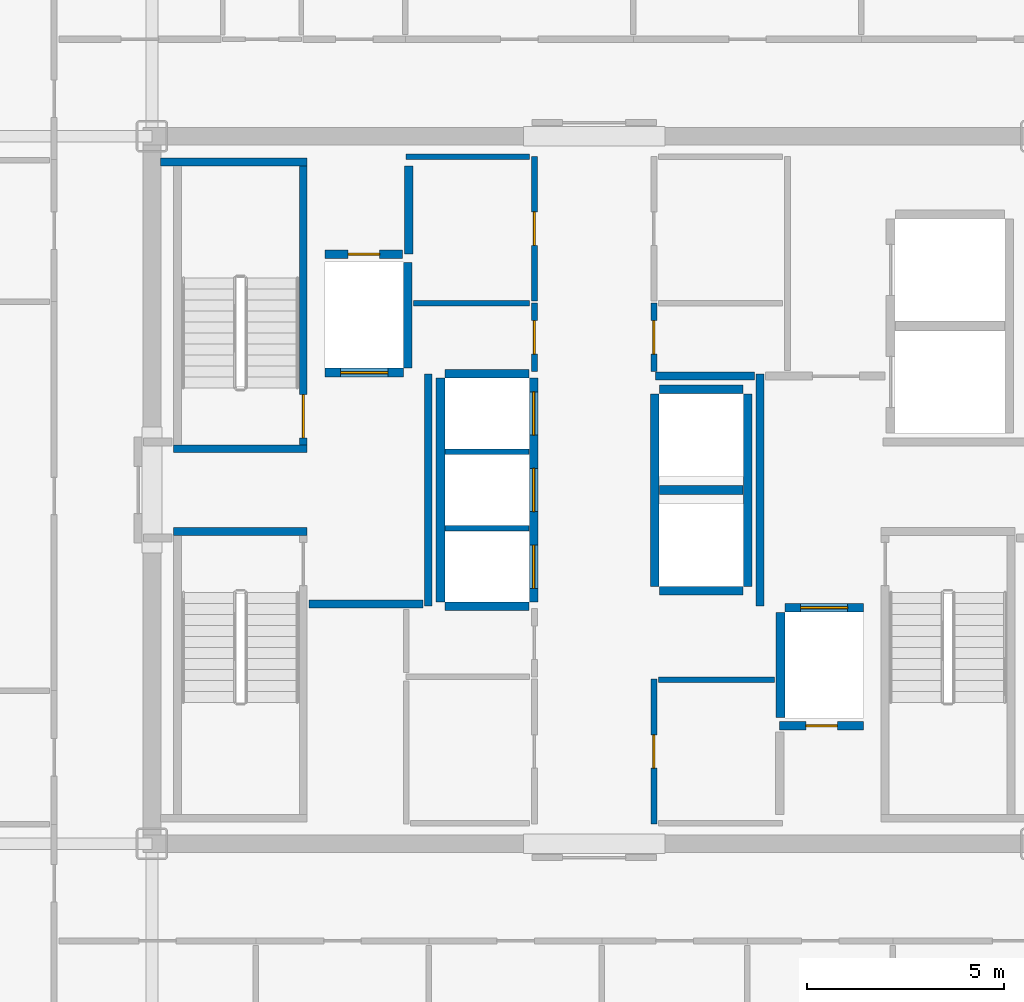
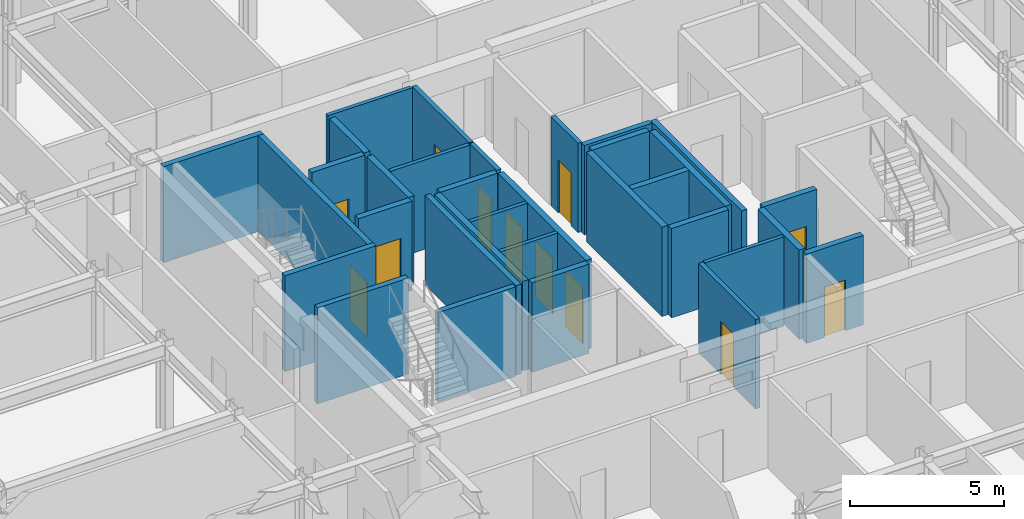
# One storey, part 14 of 18: 33 walls, 12 doors, 12 openings.
"""IFC4 building model written with IfcOpenShell, lengths in metres."""

from ifc_helpers import new_model, si_unit, direction, frame, frame_2d, origin, place, context, subcontext, project, spatial, rectangle, extrude, source, transform, mapped, material, layer, layer_set, type_object, element, fill, save


model = new_model("IFC4")

# Units and contexts
model_context = context("Model", 3, precision=1e-05, world=origin(), true_north=direction((0.0, 1.0)))
body_context = subcontext(model_context, "Body", "Model", "MODEL_VIEW")
ifc_project = project(units=[si_unit("LENGTHUNIT", "METRE"), si_unit("AREAUNIT", "SQUARE_METRE"), si_unit("VOLUMEUNIT", "CUBIC_METRE"), si_unit("PLANEANGLEUNIT", "RADIAN"), si_unit("MASSUNIT", "GRAM", prefix="KILO")], contexts=[model_context])

# Site, building, storey
site_placement = place(None, origin())
site = spatial("IfcSite", under=ifc_project, at=site_placement, CompositionType="ELEMENT")
building_placement = place(site_placement, origin())
building = spatial("IfcBuilding", under=site, at=building_placement, Name="Nefas-Gora Pilgrimage Tower", CompositionType="ELEMENT")
storey_placement = place(building_placement, frame((0.0, 0.0, 283.60009765625)))
storey = spatial("IfcBuildingStorey", under=building, at=storey_placement, Name="L71", CompositionType="ELEMENT", Elevation=283.60009765625)

# Walls
ifc_material_1 = material(Name="Concrete C45/55", Category="concrete")
ifc_layer_1 = layer(ifc_material_1, 0.199951171875)
ifc_layer_set_1 = layer_set([ifc_layer_1], Name="Concrete C45/55")
wall_type_1 = type_object("IfcWallType", Name="IW-STAIR-200", PredefinedType="SOLIDWALL", material=ifc_layer_set_1)
shared_shape_1 = source(origin(), body_context, "Body", "SweptSolid", [
    extrude(rectangle(XDim=3.39990234375, YDim=0.199951171875, at=frame_2d((1.699951171875, 0.0))), origin(), (0.0, 0.0, 1.0), 3.7998046875),
])
for number, where, z_axis, x_axis, name in (
    (1, (-7.300048828125, 1.050048828125, 0.0), (0.0, 0.0, 1.0), (-1.0, 0.0, 0.0), "L71 Stairwell Shear Wall ST-01-near"),
    (2, (-10.699951171875, -1.050048828125, 0.0), (0.0, 0.0, 1.0), (1.0, 0.0, 0.0), "L71 Stairwell Shear Wall ST-03-near"),
):
    element("IfcWall", number, at=place(storey_placement, frame(where, z_axis=z_axis, x_axis=x_axis)), inside=storey, type_object=wall_type_1, Name=name, PredefinedType="SOLIDWALL", context=body_context, shape_type="MappedRepresentation", body=[
        mapped(shared_shape_1, transform((0.0, 0.0, 0.0), x_axis=(1.0, 0.0, 0.0), y_axis=(0.0, 1.0, 0.0), z_axis=(0.0, 0.0, 1.0), scale=1.0)),
    ])

# Wall, opening, door
shared_shape_2 = source(origin(), body_context, "Body", "SweptSolid", [
    extrude(rectangle(XDim=7.10009765625, YDim=0.199951171875, at=frame_2d((3.550048828125, 0.0))), origin(), (0.0, 0.0, 1.0), 3.7998046875),
])
wall_1_placement = place(storey_placement, frame((-7.39990234375, 1.14990234375, 0.0), z_axis=(0.0, 0.0, 1.0), x_axis=(0.0, 1.0, 0.0)))
wall_1 = element("IfcWall", 3, at=wall_1_placement, inside=storey, type_object=wall_type_1, Name="L71 Stairwell Shear Wall ST-01-left", PredefinedType="SOLIDWALL", context=body_context, shape_type="MappedRepresentation", body=[
    mapped(shared_shape_2, transform((0.0, 0.0, 0.0), x_axis=(1.0, 0.0, 0.0), y_axis=(0.0, 1.0, 0.0), z_axis=(0.0, 0.0, 1.0), scale=1.0)),
])
opening_1_placement = place(wall_1_placement, frame((0.179931640625, 0.0, 0.0)))
opening_1 = element("IfcOpeningElement", 4, at=opening_1_placement, cuts=wall_1, Name="Opening ID-ST1", PredefinedType="OPENING", context=body_context, shape_type="SweptSolid", body=[
    extrude(rectangle(XDim=1.10009765625, YDim=2.14990234375, at=frame_2d((0.550048828125, 1.074951171875))), frame((0.0, 0.10986328125, 0.0), z_axis=(0.0, -1.0, 0.0), x_axis=(1.0, 0.0, 0.0)), (0.0, 0.0, 1.0), 0.219970703125),
])
ifc_material_2 = material(Name="Painted galvanised steel fire stair door", Category="steel")
door_type_1 = type_object("IfcDoorType", Name="DR-INT-STAIR-1100", OperationType="NOTDEFINED", PredefinedType="DOOR", material=ifc_material_2)
shared_shape_3 = source(origin(), body_context, "Body", "SweptSolid", [
    extrude(rectangle(XDim=1.10009765625, YDim=2.14990234375, at=frame_2d((0.550048828125, 1.074951171875))), frame((0.0, 0.02490234375, 0.0), z_axis=(0.0, -1.0, 0.0), x_axis=(1.0, 0.0, 0.0)), (0.0, 0.0, 1.0), 0.050048828125),
])
door_1_placement = place(opening_1_placement, origin())
door_1 = element("IfcDoor", 5, at=door_1_placement, inside=storey, type_object=door_type_1, Name="L71 Protected Exit Stair Door ST-01", OperationType="SINGLE_SWING_LEFT", OverallHeight=2.14990234375, OverallWidth=1.10009765625, PredefinedType="DOOR", context=body_context, shape_type="MappedRepresentation", body=[
    mapped(shared_shape_3, transform((0.0, 0.0, 0.0), x_axis=(1.0, 0.0, 0.0), y_axis=(0.0, 1.0, 0.0), z_axis=(0.0, 0.0, 1.0), scale=1.0)),
])
fill(opening_1, door_1)

# Wall
shared_shape_4 = source(origin(), body_context, "Body", "SweptSolid", [
    extrude(rectangle(XDim=3.72998046875, YDim=0.199951171875, at=frame_2d((1.864990234375, 0.0))), origin(), (0.0, 0.0, 1.0), 3.7998046875),
])
wall_2_placement = place(storey_placement, frame((-7.300048828125, 8.35009765625, 0.0), z_axis=(0.0, 0.0, 1.0), x_axis=(-1.0, 0.0, 0.0)))
element("IfcWall", 6, at=wall_2_placement, inside=storey, type_object=wall_type_1, Name="L71 Stairwell Shear Wall ST-01-far", PredefinedType="SOLIDWALL", context=body_context, shape_type="MappedRepresentation", body=[
    mapped(shared_shape_4, transform((0.0, 0.0, 0.0), x_axis=(1.0, 0.0, 0.0), y_axis=(0.0, 1.0, 0.0), z_axis=(0.0, 0.0, 1.0), scale=1.0)),
])

# Wall, opening, door
ifc_material_3 = material(Name="Concrete C40/50", Category="concrete")
ifc_layer_2 = layer(ifc_material_3, 0.219970703125)
ifc_layer_set_2 = layer_set([ifc_layer_2], Name="Concrete C40/50")
wall_type_2 = type_object("IfcWallType", Name="IW-SHAFT-220", PredefinedType="SOLIDWALL", material=ifc_layer_set_2)
shared_shape_5 = source(origin(), body_context, "Body", "SweptSolid", [
    extrude(rectangle(XDim=2.0, YDim=0.219970703125, at=frame_2d((1.0, 0.0))), origin(), (0.0, 0.0, 1.0), 3.534912109375),
])
wall_3_placement = place(storey_placement, frame((-6.85009765625, 2.989990234375, 0.0), z_axis=(0.0, 0.0, 1.0), x_axis=(1.0, 0.0, 0.0)))
wall_3 = element("IfcWall", 7, at=wall_3_placement, inside=storey, type_object=wall_type_2, Name="L71 Hoistway Wall FFL-01-S", PredefinedType="SOLIDWALL", context=body_context, shape_type="MappedRepresentation", body=[
    mapped(shared_shape_5, transform((0.0, 0.0, 0.0), x_axis=(1.0, 0.0, 0.0), y_axis=(0.0, 1.0, 0.0), z_axis=(0.0, 0.0, 1.0), scale=1.0)),
])
opening_2_placement = place(wall_3_placement, frame((0.39990234375, 0.0, 0.0)))
opening_2 = element("IfcOpeningElement", 8, at=opening_2_placement, cuts=wall_3, Name="Opening LD-FF", PredefinedType="OPENING", context=body_context, shape_type="SweptSolid", body=[
    extrude(rectangle(XDim=1.199951171875, YDim=2.199951171875, at=frame_2d((0.60009765625, 1.10009765625))), frame((0.0, 0.119873046875, 0.0), z_axis=(0.0, -1.0, 0.0), x_axis=(1.0, 0.0, 0.0)), (0.0, 0.0, 1.0), 0.239990234375),
])
ifc_material_4 = material(Name="Fire-service sliding lift landing door")
door_type_2 = type_object("IfcDoorType", Name="DR-LIFT-FSAE-1200", OperationType="SLIDING_TO_LEFT", PredefinedType="DOOR", material=ifc_material_4)
shared_shape_6 = source(origin(), body_context, "Body", "SweptSolid", [
    extrude(rectangle(XDim=1.199951171875, YDim=2.199951171875, at=frame_2d((0.60009765625, 1.10009765625))), frame((0.0, 0.02490234375, 0.0), z_axis=(0.0, -1.0, 0.0), x_axis=(1.0, 0.0, 0.0)), (0.0, 0.0, 1.0), 0.050048828125),
])
door_2_placement = place(opening_2_placement, origin())
door_2 = element("IfcDoor", 9, at=door_2_placement, inside=storey, type_object=door_type_2, Name="L71 Sliding Lift Landing Door FFL-01", OperationType="SLIDING_TO_LEFT", OverallHeight=2.199951171875, OverallWidth=1.199951171875, PredefinedType="DOOR", context=body_context, shape_type="MappedRepresentation", body=[
    mapped(shared_shape_6, transform((0.0, 0.0, 0.0), x_axis=(1.0, 0.0, 0.0), y_axis=(0.0, 1.0, 0.0), z_axis=(0.0, 0.0, 1.0), scale=1.0)),
])
fill(opening_2, door_2)

wall_4_placement = place(storey_placement, frame((6.85009765625, -2.989990234375, 0.0), z_axis=(0.0, 0.0, 1.0), x_axis=(-1.0, 0.0, 0.0)))
wall_4 = element("IfcWall", 10, at=wall_4_placement, inside=storey, type_object=wall_type_2, Name="L71 Hoistway Wall FFL-02-N", PredefinedType="SOLIDWALL", context=body_context, shape_type="MappedRepresentation", body=[
    mapped(shared_shape_5, transform((0.0, 0.0, 0.0), x_axis=(1.0, 0.0, 0.0), y_axis=(0.0, 1.0, 0.0), z_axis=(0.0, 0.0, 1.0), scale=1.0)),
])
opening_3_placement = place(wall_4_placement, frame((0.39990234375, 0.0, 0.0)))
opening_3 = element("IfcOpeningElement", 11, at=opening_3_placement, cuts=wall_4, Name="Opening LD-FF", PredefinedType="OPENING", context=body_context, shape_type="SweptSolid", body=[
    extrude(rectangle(XDim=1.199951171875, YDim=2.199951171875, at=frame_2d((0.60009765625, 1.10009765625))), frame((0.0, 0.119873046875, 0.0), z_axis=(0.0, -1.0, 0.0), x_axis=(1.0, 0.0, 0.0)), (0.0, 0.0, 1.0), 0.239990234375),
])
door_3_placement = place(opening_3_placement, origin())
door_3 = element("IfcDoor", 12, at=door_3_placement, inside=storey, type_object=door_type_2, Name="L71 Sliding Lift Landing Door FFL-02", OperationType="SLIDING_TO_LEFT", OverallHeight=2.199951171875, OverallWidth=1.199951171875, PredefinedType="DOOR", context=body_context, shape_type="MappedRepresentation", body=[
    mapped(shared_shape_6, transform((0.0, 0.0, 0.0), x_axis=(1.0, 0.0, 0.0), y_axis=(0.0, 1.0, 0.0), z_axis=(0.0, 0.0, 1.0), scale=1.0)),
])
fill(opening_3, door_3)

# Walls
shared_shape_7 = source(origin(), body_context, "Body", "SweptSolid", [
    extrude(rectangle(XDim=2.679931640625, YDim=0.219970703125, at=frame_2d((1.33984375, 0.0))), origin(), (0.0, 0.0, 1.0), 3.534912109375),
])
for number, where, z_axis, x_axis, name in (
    (13, (-4.739990234375, 3.110107421875, 0.0), (0.0, 0.0, 1.0), (0.0, 1.0, 0.0), "L71 Hoistway Wall FFL-01-E"),
    (14, (4.739990234375, -3.110107421875, 0.0), (0.0, 0.0, 1.0), (0.0, -1.0, 0.0), "L71 Hoistway Wall FFL-02-W"),
):
    element("IfcWall", number, at=place(storey_placement, frame(where, z_axis=z_axis, x_axis=x_axis)), inside=storey, type_object=wall_type_2, Name=name, PredefinedType="SOLIDWALL", context=body_context, shape_type="MappedRepresentation", body=[
        mapped(shared_shape_7, transform((0.0, 0.0, 0.0), x_axis=(1.0, 0.0, 0.0), y_axis=(0.0, 1.0, 0.0), z_axis=(0.0, 0.0, 1.0), scale=1.0)),
    ])

# Wall, openings, doors
shared_shape_8 = source(origin(), body_context, "Body", "SweptSolid", [
    extrude(rectangle(XDim=5.7001953125, YDim=0.219970703125, at=frame_2d((2.85009765625, 0.0))), origin(), (0.0, 0.0, 1.0), 3.534912109375),
])
wall_5_placement = place(storey_placement, frame((-1.5400390625, -2.85009765625, 0.0), z_axis=(0.0, 0.0, 1.0), x_axis=(0.0, 1.0, 0.0)))
wall_5 = element("IfcWall", 15, at=wall_5_placement, inside=storey, type_object=wall_type_2, Name="L71 Hoistway Wall PL3-01-03-E", PredefinedType="SOLIDWALL", context=body_context, shape_type="MappedRepresentation", body=[
    mapped(shared_shape_8, transform((0.0, 0.0, 0.0), x_axis=(1.0, 0.0, 0.0), y_axis=(0.0, 1.0, 0.0), z_axis=(0.0, 0.0, 1.0), scale=1.0)),
])
opening_4_placement = place(wall_5_placement, frame((0.35009765625, 0.0, 0.0)))
opening_4 = element("IfcOpeningElement", 16, at=opening_4_placement, cuts=wall_5, Name="Opening LD-01", PredefinedType="OPENING", context=body_context, shape_type="SweptSolid", body=[
    extrude(rectangle(XDim=1.10009765625, YDim=2.199951171875, at=frame_2d((0.550048828125, 1.10009765625))), frame((0.0, 0.119873046875, 0.0), z_axis=(0.0, -1.0, 0.0), x_axis=(1.0, 0.0, 0.0)), (0.0, 0.0, 1.0), 0.239990234375),
])
opening_5_placement = place(wall_5_placement, frame((2.300048828125, 0.0, 0.0)))
opening_5 = element("IfcOpeningElement", 17, at=opening_5_placement, cuts=wall_5, Name="Opening LD-01", PredefinedType="OPENING", context=body_context, shape_type="SweptSolid", body=[
    extrude(rectangle(XDim=1.10009765625, YDim=2.199951171875, at=frame_2d((0.550048828125, 1.10009765625))), frame((0.0, 0.119873046875, 0.0), z_axis=(0.0, -1.0, 0.0), x_axis=(1.0, 0.0, 0.0)), (0.0, 0.0, 1.0), 0.239990234375),
])
opening_6_placement = place(wall_5_placement, frame((4.25, 0.0, 0.0)))
opening_6 = element("IfcOpeningElement", 18, at=opening_6_placement, cuts=wall_5, Name="Opening LD-01", PredefinedType="OPENING", context=body_context, shape_type="SweptSolid", body=[
    extrude(rectangle(XDim=1.10009765625, YDim=2.199951171875, at=frame_2d((0.550048828125, 1.10009765625))), frame((0.0, 0.119873046875, 0.0), z_axis=(0.0, -1.0, 0.0), x_axis=(1.0, 0.0, 0.0)), (0.0, 0.0, 1.0), 0.239990234375),
])
ifc_material_5 = material(Name="Brushed stainless sliding lift landing door")
door_type_3 = type_object("IfcDoorType", Name="DR-LIFT-PASS-1100", OperationType="DOUBLE_DOOR_SLIDING", PredefinedType="DOOR", material=ifc_material_5)
shared_shape_9 = source(origin(), body_context, "Body", "SweptSolid", [
    extrude(rectangle(XDim=1.10009765625, YDim=2.199951171875, at=frame_2d((0.550048828125, 1.10009765625))), frame((0.0, 0.02490234375, 0.0), z_axis=(0.0, -1.0, 0.0), x_axis=(1.0, 0.0, 0.0)), (0.0, 0.0, 1.0), 0.050048828125),
])
door_4_placement = place(opening_4_placement, origin())
door_4 = element("IfcDoor", 19, at=door_4_placement, inside=storey, type_object=door_type_3, Name="L71 Sliding Lift Landing Door PL3-01", OperationType="DOUBLE_DOOR_SLIDING", OverallHeight=2.199951171875, OverallWidth=1.10009765625, PredefinedType="DOOR", context=body_context, shape_type="MappedRepresentation", body=[
    mapped(shared_shape_9, transform((0.0, 0.0, 0.0), x_axis=(1.0, 0.0, 0.0), y_axis=(0.0, 1.0, 0.0), z_axis=(0.0, 0.0, 1.0), scale=1.0)),
])
fill(opening_4, door_4)
door_5_placement = place(opening_5_placement, origin())
door_5 = element("IfcDoor", 20, at=door_5_placement, inside=storey, type_object=door_type_3, Name="L71 Sliding Lift Landing Door PL3-02", OperationType="DOUBLE_DOOR_SLIDING", OverallHeight=2.199951171875, OverallWidth=1.10009765625, PredefinedType="DOOR", context=body_context, shape_type="MappedRepresentation", body=[
    mapped(shared_shape_9, transform((0.0, 0.0, 0.0), x_axis=(1.0, 0.0, 0.0), y_axis=(0.0, 1.0, 0.0), z_axis=(0.0, 0.0, 1.0), scale=1.0)),
])
fill(opening_5, door_5)
door_6_placement = place(opening_6_placement, origin())
door_6 = element("IfcDoor", 21, at=door_6_placement, inside=storey, type_object=door_type_3, Name="L71 Sliding Lift Landing Door PL3-03", OperationType="DOUBLE_DOOR_SLIDING", OverallHeight=2.199951171875, OverallWidth=1.10009765625, PredefinedType="DOOR", context=body_context, shape_type="MappedRepresentation", body=[
    mapped(shared_shape_9, transform((0.0, 0.0, 0.0), x_axis=(1.0, 0.0, 0.0), y_axis=(0.0, 1.0, 0.0), z_axis=(0.0, 0.0, 1.0), scale=1.0)),
])
fill(opening_6, door_6)

# Walls
wall_6_placement = place(storey_placement, frame((-3.909912109375, 2.85009765625, 0.0), z_axis=(0.0, 0.0, 1.0), x_axis=(0.0, -1.0, 0.0)))
element("IfcWall", 22, at=wall_6_placement, inside=storey, type_object=wall_type_2, Name="L71 Hoistway Wall PL3-01-03-W", PredefinedType="SOLIDWALL", context=body_context, shape_type="MappedRepresentation", body=[
    mapped(shared_shape_8, transform((0.0, 0.0, 0.0), x_axis=(1.0, 0.0, 0.0), y_axis=(0.0, 1.0, 0.0), z_axis=(0.0, 0.0, 1.0), scale=1.0)),
])
shared_shape_10 = source(origin(), body_context, "Body", "SweptSolid", [
    extrude(rectangle(XDim=2.130126953125, YDim=0.219970703125, at=frame_2d((1.06494140625, 0.0))), origin(), (0.0, 0.0, 1.0), 3.534912109375),
])
for number, where, z_axis, x_axis, name in (
    (23, (-3.7900390625, -2.9599609375, 0.0), (0.0, 0.0, 1.0), (1.0, 0.0, 0.0), "L71 Hoistway Wall PL3-01-S"),
    (24, (-1.659912109375, 2.9599609375, 0.0), (0.0, 0.0, 1.0), (-1.0, 0.0, 0.0), "L71 Hoistway Wall PL3-03-N"),
    (25, (1.659912109375, -2.56005859375, 0.0), (0.0, 0.0, 1.0), (1.0, 0.0, 0.0), "L71 Hoistway Wall OBS-01-S"),
    (26, (1.659912109375, 0.0, 0.0), (0.0, 0.0, 1.0), (1.0, 0.0, 0.0), "L71 Hoistway Wall OBS-01-02-DIV"),
    (27, (3.7900390625, 2.56005859375, 0.0), (0.0, 0.0, 1.0), (-1.0, 0.0, 0.0), "L71 Hoistway Wall OBS-02-N"),
):
    element("IfcWall", number, at=place(storey_placement, frame(where, z_axis=z_axis, x_axis=x_axis)), inside=storey, type_object=wall_type_2, Name=name, PredefinedType="SOLIDWALL", context=body_context, shape_type="MappedRepresentation", body=[
        mapped(shared_shape_10, transform((0.0, 0.0, 0.0), x_axis=(1.0, 0.0, 0.0), y_axis=(0.0, 1.0, 0.0), z_axis=(0.0, 0.0, 1.0), scale=1.0)),
    ])

# Wall, opening, door
wall_7_placement = place(storey_placement, frame((4.719970703125, -6.0, 0.0), z_axis=(0.0, 0.0, 1.0), x_axis=(1.0, 0.0, 0.0)))
wall_7 = element("IfcWall", 28, at=wall_7_placement, inside=storey, type_object=wall_type_2, Name="L71 Riser Shaft Wall 3", PredefinedType="SOLIDWALL", context=body_context, shape_type="MappedRepresentation", body=[
    mapped(shared_shape_10, transform((0.0, 0.0, 0.0), x_axis=(1.0, 0.0, 0.0), y_axis=(0.0, 1.0, 0.0), z_axis=(0.0, 0.0, 1.0), scale=1.0)),
])
opening_7_placement = place(wall_7_placement, frame((0.6650390625, 0.0, 0.0)))
opening_7 = element("IfcOpeningElement", 29, at=opening_7_placement, cuts=wall_7, Name="Opening ID-TR1", PredefinedType="OPENING", context=body_context, shape_type="SweptSolid", body=[
    extrude(rectangle(XDim=0.800048828125, YDim=2.0, at=frame_2d((0.39990234375, 1.0))), frame((0.0, 0.119873046875, 0.0), z_axis=(0.0, -1.0, 0.0), x_axis=(1.0, 0.0, 0.0)), (0.0, 0.0, 1.0), 0.239990234375),
])
ifc_material_6 = material(Name="Riser maintenance fire access door")
door_type_4 = type_object("IfcDoorType", Name="DR-INT-TRAP-800", OperationType="NOTDEFINED", PredefinedType="TRAPDOOR", material=ifc_material_6)
shared_shape_11 = source(origin(), body_context, "Body", "SweptSolid", [
    extrude(rectangle(XDim=0.800048828125, YDim=2.0, at=frame_2d((0.39990234375, 1.0))), frame((0.0, 0.02490234375, 0.0), z_axis=(0.0, -1.0, 0.0), x_axis=(1.0, 0.0, 0.0)), (0.0, 0.0, 1.0), 0.050048828125),
])
door_7_placement = place(opening_7_placement, origin())
door_7 = element("IfcDoor", 30, at=door_7_placement, inside=storey, type_object=door_type_4, Name="L71 Riser Shaft Door 2", OperationType="SINGLE_SWING_RIGHT", OverallHeight=2.0, OverallWidth=0.800048828125, PredefinedType="TRAPDOOR", context=body_context, shape_type="MappedRepresentation", body=[
    mapped(shared_shape_11, transform((0.0, 0.0, 0.0), x_axis=(1.0, 0.0, 0.0), y_axis=(0.0, 1.0, 0.0), z_axis=(0.0, 0.0, 1.0), scale=1.0)),
])
fill(opening_7, door_7)

# Walls
ifc_material_7 = material(Name="Gypsum twin-stud partition")
ifc_layer_3 = layer(ifc_material_7, 0.139892578125)
ifc_layer_set_3 = layer_set([ifc_layer_3], Name="Gypsum twin-stud partition")
wall_type_3 = type_object("IfcWallType", Name="IW-UNIT-140", PredefinedType="PARTITIONING", material=ifc_layer_set_3)
shared_shape_12 = source(origin(), body_context, "Body", "SweptSolid", [
    extrude(rectangle(XDim=2.130126953125, YDim=0.139892578125, at=frame_2d((1.06494140625, 0.0))), origin(), (0.0, 0.0, 1.0), 3.534912109375),
])
for number, where, z_axis, x_axis, name in (
    (31, (-3.7900390625, -0.97509765625, 0.0), (0.0, 0.0, 1.0), (1.0, 0.0, 0.0), "L71 Hoistway Wall PL3-01-02-DIV"),
    (32, (-3.7900390625, 0.97509765625, 0.0), (0.0, 0.0, 1.0), (1.0, 0.0, 0.0), "L71 Hoistway Wall PL3-02-03-DIV"),
):
    element("IfcWall", number, at=place(storey_placement, frame(where, z_axis=z_axis, x_axis=x_axis)), inside=storey, type_object=wall_type_3, Name=name, PredefinedType="PARTITIONING", context=body_context, shape_type="MappedRepresentation", body=[
        mapped(shared_shape_12, transform((0.0, 0.0, 0.0), x_axis=(1.0, 0.0, 0.0), y_axis=(0.0, 1.0, 0.0), z_axis=(0.0, 0.0, 1.0), scale=1.0)),
    ])
shared_shape_13 = source(origin(), body_context, "Body", "SweptSolid", [
    extrude(rectangle(XDim=4.89990234375, YDim=0.219970703125, at=frame_2d((2.449951171875, 0.0))), origin(), (0.0, 0.0, 1.0), 3.534912109375),
])
for number, where, z_axis, x_axis, name in (
    (33, (1.5400390625, 2.449951171875, 0.0), (0.0, 0.0, 1.0), (0.0, -1.0, 0.0), "L71 Hoistway Wall OBS-01-02-W"),
    (34, (3.909912109375, -2.449951171875, 0.0), (0.0, 0.0, 1.0), (0.0, 1.0, 0.0), "L71 Hoistway Wall OBS-01-02-E"),
):
    element("IfcWall", number, at=place(storey_placement, frame(where, z_axis=z_axis, x_axis=x_axis)), inside=storey, type_object=wall_type_2, Name=name, PredefinedType="SOLIDWALL", context=body_context, shape_type="MappedRepresentation", body=[
        mapped(shared_shape_13, transform((0.0, 0.0, 0.0), x_axis=(1.0, 0.0, 0.0), y_axis=(0.0, 1.0, 0.0), z_axis=(0.0, 0.0, 1.0), scale=1.0)),
    ])
ifc_material_8 = material(Name="Gypsum fire-rated shaftwall")
ifc_layer_4 = layer(ifc_material_8, 0.199951171875)
ifc_layer_set_4 = layer_set([ifc_layer_4], Name="Gypsum fire-rated shaftwall")
wall_type_4 = type_object("IfcWallType", Name="IW-FFLOB-200", PredefinedType="PARTITIONING", material=ifc_layer_set_4)
shared_shape_14 = source(origin(), body_context, "Body", "SweptSolid", [
    extrude(rectangle(XDim=5.89990234375, YDim=0.199951171875, at=frame_2d((2.949951171875, 0.0))), origin(), (0.0, 0.0, 1.0), 3.534912109375),
])
for number, where, z_axis, x_axis, name in (
    (35, (-4.219970703125, -2.949951171875, 0.0), (0.0, 0.0, 1.0), (0.0, 1.0, 0.0), "L71 FF Lobby West Inner Wall Wall 6"),
    (36, (4.219970703125, -2.949951171875, 0.0), (0.0, 0.0, 1.0), (0.0, 1.0, 0.0), "L71 FF Lobby East Inner Wall Wall 11"),
):
    element("IfcWall", number, at=place(storey_placement, frame(where, z_axis=z_axis, x_axis=x_axis)), inside=storey, type_object=wall_type_4, Name=name, PredefinedType="PARTITIONING", context=body_context, shape_type="MappedRepresentation", body=[
        mapped(shared_shape_14, transform((0.0, 0.0, 0.0), x_axis=(1.0, 0.0, 0.0), y_axis=(0.0, 1.0, 0.0), z_axis=(0.0, 0.0, 1.0), scale=1.0)),
    ])
shared_shape_15 = source(origin(), body_context, "Body", "SweptSolid", [
    extrude(rectangle(XDim=2.89990234375, YDim=0.199951171875, at=frame_2d((1.449951171875, 0.0))), origin(), (0.0, 0.0, 1.0), 3.534912109375),
])
wall_8_placement = place(storey_placement, frame((-7.260009765625, -2.89990234375, 0.0), z_axis=(0.0, 0.0, 1.0), x_axis=(1.0, 0.0, 0.0)))
element("IfcWall", 37, at=wall_8_placement, inside=storey, type_object=wall_type_4, Name="L71 FF Lobby West South Wall Wall 7", PredefinedType="PARTITIONING", context=body_context, shape_type="MappedRepresentation", body=[
    mapped(shared_shape_15, transform((0.0, 0.0, 0.0), x_axis=(1.0, 0.0, 0.0), y_axis=(0.0, 1.0, 0.0), z_axis=(0.0, 0.0, 1.0), scale=1.0)),
])
shared_shape_16 = source(origin(), body_context, "Body", "SweptSolid", [
    extrude(rectangle(XDim=2.9501953125, YDim=0.139892578125, at=frame_2d((1.47509765625, 0.0))), origin(), (0.0, 0.0, 1.0), 3.534912109375),
])
for number, where, z_axis, x_axis, name in (
    (38, (-4.590087890625, 4.75, 0.0), (0.0, 0.0, 1.0), (1.0, 0.0, 0.0), "L71 Housekeeping and Linen Store Partition Wall 20"),
    (39, (1.639892578125, -4.820068359375, 0.0), (0.0, 0.0, 1.0), (1.0, 0.0, 0.0), "L71 High-Rise Tableware Store Partition Wall 34"),
):
    element("IfcWall", number, at=place(storey_placement, frame(where, z_axis=z_axis, x_axis=x_axis)), inside=storey, type_object=wall_type_3, Name=name, PredefinedType="PARTITIONING", context=body_context, shape_type="MappedRepresentation", body=[
        mapped(shared_shape_16, transform((0.0, 0.0, 0.0), x_axis=(1.0, 0.0, 0.0), y_axis=(0.0, 1.0, 0.0), z_axis=(0.0, 0.0, 1.0), scale=1.0)),
    ])
shared_shape_17 = source(origin(), body_context, "Body", "SweptSolid", [
    extrude(rectangle(XDim=3.150146484375, YDim=0.139892578125, at=frame_2d((1.5751953125, 0.0))), origin(), (0.0, 0.0, 1.0), 3.534912109375),
])
wall_9_placement = place(storey_placement, frame((-4.7900390625, 8.47998046875, 0.0), z_axis=(0.0, 0.0, 1.0), x_axis=(1.0, 0.0, 0.0)))
element("IfcWall", 40, at=wall_9_placement, inside=storey, type_object=wall_type_3, Name="L71 Archival Supply Store Partition Wall 22", PredefinedType="PARTITIONING", context=body_context, shape_type="MappedRepresentation", body=[
    mapped(shared_shape_17, transform((0.0, 0.0, 0.0), x_axis=(1.0, 0.0, 0.0), y_axis=(0.0, 1.0, 0.0), z_axis=(0.0, 0.0, 1.0), scale=1.0)),
])
shared_shape_18 = source(origin(), body_context, "Body", "SweptSolid", [
    extrude(rectangle(XDim=2.25, YDim=0.219970703125, at=frame_2d((1.125, 0.0))), origin(), (0.0, 0.0, 1.0), 3.534912109375),
])
wall_10_placement = place(storey_placement, frame((-4.719970703125, 6.0, 0.0), z_axis=(0.0, 0.0, 1.0), x_axis=(0.0, 1.0, 0.0)))
element("IfcWall", 41, at=wall_10_placement, inside=storey, type_object=wall_type_2, Name="L71 Riser Shaft Wall 1", PredefinedType="SOLIDWALL", context=body_context, shape_type="MappedRepresentation", body=[
    mapped(shared_shape_18, transform((0.0, 0.0, 0.0), x_axis=(1.0, 0.0, 0.0), y_axis=(0.0, 1.0, 0.0), z_axis=(0.0, 0.0, 1.0), scale=1.0)),
])

# Wall, opening, door
shared_shape_19 = source(origin(), body_context, "Body", "SweptSolid", [
    extrude(rectangle(XDim=1.97998046875, YDim=0.219970703125, at=frame_2d((0.989990234375, 0.0))), origin(), (0.0, 0.0, 1.0), 3.534912109375),
])
wall_11_placement = place(storey_placement, frame((-6.85009765625, 6.0, 0.0), z_axis=(0.0, 0.0, 1.0), x_axis=(1.0, 0.0, 0.0)))
wall_11 = element("IfcWall", 42, at=wall_11_placement, inside=storey, type_object=wall_type_2, Name="L71 Riser Shaft Wall 2", PredefinedType="SOLIDWALL", context=body_context, shape_type="MappedRepresentation", body=[
    mapped(shared_shape_19, transform((0.0, 0.0, 0.0), x_axis=(1.0, 0.0, 0.0), y_axis=(0.0, 1.0, 0.0), z_axis=(0.0, 0.0, 1.0), scale=1.0)),
])
opening_8_placement = place(wall_11_placement, frame((0.590087890625, 0.0, 0.0)))
opening_8 = element("IfcOpeningElement", 43, at=opening_8_placement, cuts=wall_11, Name="Opening ID-TR1", PredefinedType="OPENING", context=body_context, shape_type="SweptSolid", body=[
    extrude(rectangle(XDim=0.800048828125, YDim=2.0, at=frame_2d((0.39990234375, 1.0))), frame((0.0, 0.119873046875, 0.0), z_axis=(0.0, -1.0, 0.0), x_axis=(1.0, 0.0, 0.0)), (0.0, 0.0, 1.0), 0.239990234375),
])
door_8_placement = place(opening_8_placement, origin())
door_8 = element("IfcDoor", 44, at=door_8_placement, inside=storey, type_object=door_type_4, Name="L71 Riser Shaft Door 1", OperationType="SINGLE_SWING_LEFT", OverallHeight=2.0, OverallWidth=0.800048828125, PredefinedType="TRAPDOOR", context=body_context, shape_type="MappedRepresentation", body=[
    mapped(shared_shape_11, transform((0.0, 0.0, 0.0), x_axis=(1.0, 0.0, 0.0), y_axis=(0.0, 1.0, 0.0), z_axis=(0.0, 0.0, 1.0), scale=1.0)),
])
fill(opening_8, door_8)

# Wall
shared_shape_20 = source(origin(), body_context, "Body", "SweptSolid", [
    extrude(rectangle(XDim=2.52001953125, YDim=0.199951171875, at=frame_2d((1.260009765625, 0.0))), origin(), (0.0, 0.0, 1.0), 3.534912109375),
])
wall_12_placement = place(storey_placement, frame((1.56005859375, 2.89990234375, 0.0), z_axis=(0.0, 0.0, 1.0), x_axis=(1.0, 0.0, 0.0)))
element("IfcWall", 45, at=wall_12_placement, inside=storey, type_object=wall_type_4, Name="L71 FF Lobby East North Wall Wall 12", PredefinedType="PARTITIONING", context=body_context, shape_type="MappedRepresentation", body=[
    mapped(shared_shape_20, transform((0.0, 0.0, 0.0), x_axis=(1.0, 0.0, 0.0), y_axis=(0.0, 1.0, 0.0), z_axis=(0.0, 0.0, 1.0), scale=1.0)),
])

# Wall, opening, door
ifc_material_9 = material(Name="Gypsum acoustic stud partition")
ifc_layer_5 = layer(ifc_material_9, 0.159912109375)
ifc_layer_set_5 = layer_set([ifc_layer_5], Name="Gypsum acoustic stud partition")
wall_type_5 = type_object("IfcWallType", Name="IW-CORR-160", PredefinedType="PARTITIONING", material=ifc_layer_set_5)
shared_shape_21 = source(origin(), body_context, "Body", "SweptSolid", [
    extrude(rectangle(XDim=1.75, YDim=0.159912109375, at=frame_2d((0.875, 0.0))), origin(), (0.0, 0.0, 1.0), 3.534912109375),
])
wall_13_placement = place(storey_placement, frame((-1.52001953125, 3.010009765625, 0.0), z_axis=(0.0, 0.0, 1.0), x_axis=(0.0, 1.0, 0.0)))
wall_13 = element("IfcWall", 46, at=wall_13_placement, inside=storey, type_object=wall_type_5, Name="L71 Housekeeping and Linen Store Wall 19", PredefinedType="PARTITIONING", context=body_context, shape_type="MappedRepresentation", body=[
    mapped(shared_shape_21, transform((0.0, 0.0, 0.0), x_axis=(1.0, 0.0, 0.0), y_axis=(0.0, 1.0, 0.0), z_axis=(0.0, 0.0, 1.0), scale=1.0)),
])
opening_9_placement = place(wall_13_placement, frame((0.449951171875, 0.0, 0.0)))
opening_9 = element("IfcOpeningElement", 47, at=opening_9_placement, cuts=wall_13, Name="Opening ID-BT1", PredefinedType="OPENING", context=body_context, shape_type="SweptSolid", body=[
    extrude(rectangle(XDim=0.85009765625, YDim=2.10009765625, at=frame_2d((0.425048828125, 1.050048828125))), frame((0.0, 0.08984375, 0.0), z_axis=(0.0, -1.0, 0.0), x_axis=(1.0, 0.0, 0.0)), (0.0, 0.0, 1.0), 0.179931640625),
])
ifc_material_10 = material(Name="Moisture-resistant fire-rated timber door", Category="wood")
door_type_5 = type_object("IfcDoorType", Name="DR-INT-BATH-850", OperationType="NOTDEFINED", PredefinedType="DOOR", material=ifc_material_10)
shared_shape_22 = source(origin(), body_context, "Body", "SweptSolid", [
    extrude(rectangle(XDim=0.85009765625, YDim=2.10009765625, at=frame_2d((0.425048828125, 1.050048828125))), frame((0.0, 0.02490234375, 0.0), z_axis=(0.0, -1.0, 0.0), x_axis=(1.0, 0.0, 0.0)), (0.0, 0.0, 1.0), 0.050048828125),
])
door_9_placement = place(opening_9_placement, origin())
door_9 = element("IfcDoor", 48, at=door_9_placement, inside=storey, type_object=door_type_5, Name="L71 Housekeeping and Linen Store Door 8", OperationType="SINGLE_SWING_RIGHT", OverallHeight=2.10009765625, OverallWidth=0.85009765625, PredefinedType="DOOR", context=body_context, shape_type="MappedRepresentation", body=[
    mapped(shared_shape_22, transform((0.0, 0.0, 0.0), x_axis=(1.0, 0.0, 0.0), y_axis=(0.0, 1.0, 0.0), z_axis=(0.0, 0.0, 1.0), scale=1.0)),
])
fill(opening_9, door_9)

wall_14_placement = place(storey_placement, frame((1.52001953125, 3.010009765625, 0.0), z_axis=(0.0, 0.0, 1.0), x_axis=(0.0, 1.0, 0.0)))
wall_14 = element("IfcWall", 49, at=wall_14_placement, inside=storey, type_object=wall_type_5, Name="L71 Clean Blanket and Robe Store Wall 23", PredefinedType="PARTITIONING", context=body_context, shape_type="MappedRepresentation", body=[
    mapped(shared_shape_21, transform((0.0, 0.0, 0.0), x_axis=(1.0, 0.0, 0.0), y_axis=(0.0, 1.0, 0.0), z_axis=(0.0, 0.0, 1.0), scale=1.0)),
])
opening_10_placement = place(wall_14_placement, frame((0.449951171875, 0.0, 0.0)))
opening_10 = element("IfcOpeningElement", 50, at=opening_10_placement, cuts=wall_14, Name="Opening ID-BT1", PredefinedType="OPENING", context=body_context, shape_type="SweptSolid", body=[
    extrude(rectangle(XDim=0.85009765625, YDim=2.10009765625, at=frame_2d((0.425048828125, 1.050048828125))), frame((0.0, 0.08984375, 0.0), z_axis=(0.0, -1.0, 0.0), x_axis=(1.0, 0.0, 0.0)), (0.0, 0.0, 1.0), 0.179931640625),
])
door_10_placement = place(opening_10_placement, origin())
door_10 = element("IfcDoor", 51, at=door_10_placement, inside=storey, type_object=door_type_5, Name="L71 Clean Blanket and Robe Store Door 10", OperationType="SINGLE_SWING_RIGHT", OverallHeight=2.10009765625, OverallWidth=0.85009765625, PredefinedType="DOOR", context=body_context, shape_type="MappedRepresentation", body=[
    mapped(shared_shape_22, transform((0.0, 0.0, 0.0), x_axis=(1.0, 0.0, 0.0), y_axis=(0.0, 1.0, 0.0), z_axis=(0.0, 0.0, 1.0), scale=1.0)),
])
fill(opening_10, door_10)

shared_shape_23 = source(origin(), body_context, "Body", "SweptSolid", [
    extrude(rectangle(XDim=3.679931640625, YDim=0.159912109375, at=frame_2d((1.83984375, 0.0))), origin(), (0.0, 0.0, 1.0), 3.534912109375),
])
wall_15_placement = place(storey_placement, frame((-1.52001953125, 4.81005859375, 0.0), z_axis=(0.0, 0.0, 1.0), x_axis=(0.0, 1.0, 0.0)))
wall_15 = element("IfcWall", 52, at=wall_15_placement, inside=storey, type_object=wall_type_5, Name="L71 Archival Supply Store Wall 21", PredefinedType="PARTITIONING", context=body_context, shape_type="MappedRepresentation", body=[
    mapped(shared_shape_23, transform((0.0, 0.0, 0.0), x_axis=(1.0, 0.0, 0.0), y_axis=(0.0, 1.0, 0.0), z_axis=(0.0, 0.0, 1.0), scale=1.0)),
])
opening_11_placement = place(wall_15_placement, frame((1.4150390625, 0.0, 0.0)))
opening_11 = element("IfcOpeningElement", 53, at=opening_11_placement, cuts=wall_15, Name="Opening ID-BT1", PredefinedType="OPENING", context=body_context, shape_type="SweptSolid", body=[
    extrude(rectangle(XDim=0.85009765625, YDim=2.10009765625, at=frame_2d((0.425048828125, 1.050048828125))), frame((0.0, 0.08984375, 0.0), z_axis=(0.0, -1.0, 0.0), x_axis=(1.0, 0.0, 0.0)), (0.0, 0.0, 1.0), 0.179931640625),
])
door_11_placement = place(opening_11_placement, origin())
door_11 = element("IfcDoor", 54, at=door_11_placement, inside=storey, type_object=door_type_5, Name="L71 Archival Supply Store Door 9", OperationType="SINGLE_SWING_LEFT", OverallHeight=2.10009765625, OverallWidth=0.85009765625, PredefinedType="DOOR", context=body_context, shape_type="MappedRepresentation", body=[
    mapped(shared_shape_22, transform((0.0, 0.0, 0.0), x_axis=(1.0, 0.0, 0.0), y_axis=(0.0, 1.0, 0.0), z_axis=(0.0, 0.0, 1.0), scale=1.0)),
])
fill(opening_11, door_11)

wall_16_placement = place(storey_placement, frame((1.52001953125, -8.489990234375, 0.0), z_axis=(0.0, 0.0, 1.0), x_axis=(0.0, 1.0, 0.0)))
wall_16 = element("IfcWall", 55, at=wall_16_placement, inside=storey, type_object=wall_type_5, Name="L71 High-Rise Tableware Store Wall 33", PredefinedType="PARTITIONING", context=body_context, shape_type="MappedRepresentation", body=[
    mapped(shared_shape_23, transform((0.0, 0.0, 0.0), x_axis=(1.0, 0.0, 0.0), y_axis=(0.0, 1.0, 0.0), z_axis=(0.0, 0.0, 1.0), scale=1.0)),
])
opening_12_placement = place(wall_16_placement, frame((1.4150390625, 0.0, 0.0)))
opening_12 = element("IfcOpeningElement", 56, at=opening_12_placement, cuts=wall_16, Name="Opening ID-BT1", PredefinedType="OPENING", context=body_context, shape_type="SweptSolid", body=[
    extrude(rectangle(XDim=0.85009765625, YDim=2.10009765625, at=frame_2d((0.425048828125, 1.050048828125))), frame((0.0, 0.08984375, 0.0), z_axis=(0.0, -1.0, 0.0), x_axis=(1.0, 0.0, 0.0)), (0.0, 0.0, 1.0), 0.179931640625),
])
door_12_placement = place(opening_12_placement, origin())
door_12 = element("IfcDoor", 57, at=door_12_placement, inside=storey, type_object=door_type_5, Name="L71 High-Rise Tableware Store Door 14", OperationType="SINGLE_SWING_RIGHT", OverallHeight=2.10009765625, OverallWidth=0.85009765625, PredefinedType="DOOR", context=body_context, shape_type="MappedRepresentation", body=[
    mapped(shared_shape_22, transform((0.0, 0.0, 0.0), x_axis=(1.0, 0.0, 0.0), y_axis=(0.0, 1.0, 0.0), z_axis=(0.0, 0.0, 1.0), scale=1.0)),
])
fill(opening_12, door_12)

save(model, "model.ifc")
